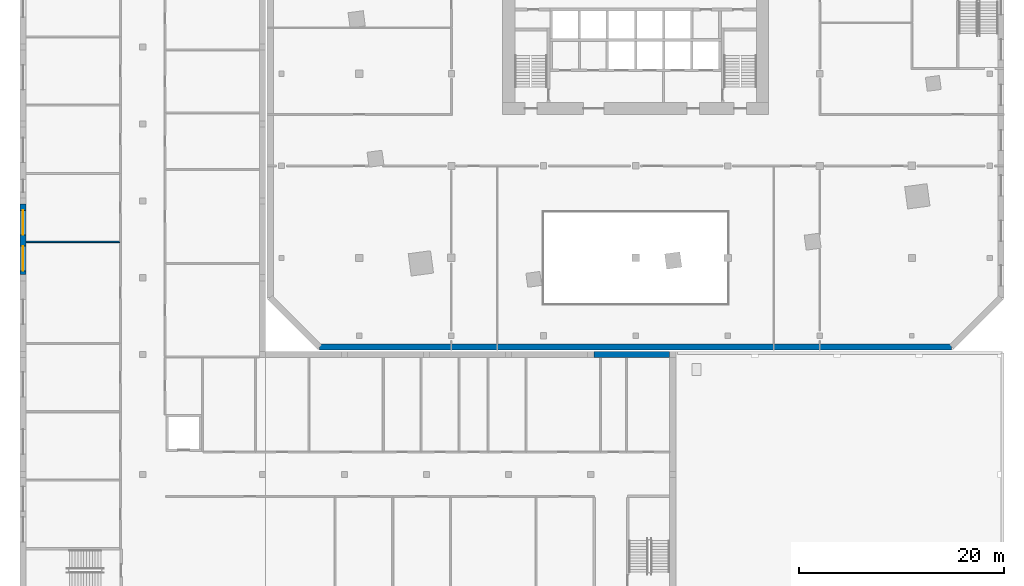
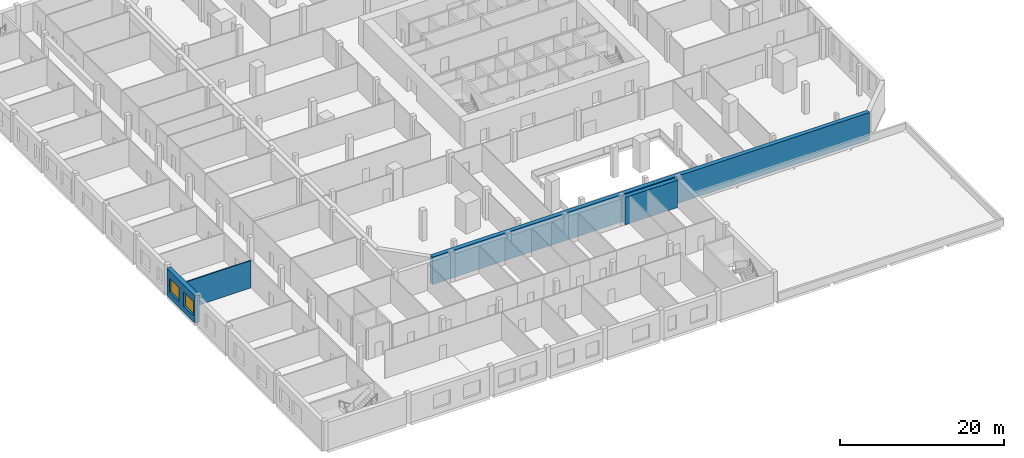
# One storey, part 5 of 20: 4 walls, 2 windows, 2 openings.
"""IFC4 building model written with IfcOpenShell, lengths in metres."""

from ifc_helpers import new_model, si_unit, direction, frame, frame_2d, origin, place, context, subcontext, project, spatial, rectangle, extrude, material, layer, layer_set, type_object, element, fill, save


model = new_model("IFC4")

# Units and contexts
model_context = context("Model", 3, precision=1e-05, world=origin(), true_north=direction((0.0, 1.0)))
body_context = subcontext(model_context, "Body", "Model", "MODEL_VIEW")
ifc_project = project(units=[si_unit("LENGTHUNIT", "METRE"), si_unit("AREAUNIT", "SQUARE_METRE"), si_unit("VOLUMEUNIT", "CUBIC_METRE"), si_unit("PLANEANGLEUNIT", "RADIAN"), si_unit("MASSUNIT", "GRAM", prefix="KILO")], contexts=[model_context])

# Site, building, storey
site_placement = place(None, origin())
site = spatial("IfcSite", under=ifc_project, at=site_placement, CompositionType="ELEMENT")
building_placement = place(site_placement, origin())
building = spatial("IfcBuilding", under=site, at=building_placement, Name="Dilmun Exchange Tower", CompositionType="ELEMENT")
storey_placement = place(building_placement, frame((0.0, 0.0, 9.0)))
storey = spatial("IfcBuildingStorey", under=building, at=storey_placement, Name="L02", CompositionType="ELEMENT", Elevation=9.0)

# Wall
ifc_material_1 = material(Name="Precast concrete C50/60", Category="concrete")
ifc_layer_1 = layer(ifc_material_1, 0.60009765625)
ifc_layer_set_1 = layer_set([ifc_layer_1], Name="Precast concrete C50/60")
wall_type_1 = type_object("IfcWallType", Name="Precast stone-clad wall 600", PredefinedType="STANDARD", material=ifc_layer_set_1)
wall_1_placement = place(storey_placement, frame((-30.875732421875, -35.699951171875, 0.0), z_axis=(0.0, 0.0, 1.0), x_axis=(1.0, 0.0, 0.0)))
element("IfcWall", 1, at=wall_1_placement, inside=storey, type_object=wall_type_1, Name="Facade wall L02-00-0", PredefinedType="STANDARD", context=body_context, shape_type="SweptSolid", body=[
    extrude(rectangle(XDim=61.75146484375, YDim=0.60009765625, at=frame_2d((30.875732421875, 0.0))), origin(), (0.0, 0.0, 1.0), 4.10009765625),
])

# Wall, openings, windows
ifc_material_2 = material(Name="Precast concrete C40/50", Category="concrete")
ifc_layer_2 = layer(ifc_material_2, 0.60009765625)
ifc_layer_set_2 = layer_set([ifc_layer_2], Name="Precast concrete C40/50")
wall_type_2 = type_object("IfcWallType", Name="School external wall 600 precast C40/50", PredefinedType="STANDARD", material=ifc_layer_set_2)
wall_2_placement = place(storey_placement, frame((-59.85009765625, -28.6357421875, 0.0), z_axis=(0.0, 0.0, 1.0), x_axis=(0.0, 1.0, 0.0)))
wall_2 = element("IfcWall", 2, at=wall_2_placement, inside=storey, type_object=wall_type_2, Name="School external wall", PredefinedType="STANDARD", context=body_context, shape_type="SweptSolid", body=[
    extrude(rectangle(XDim=6.914306640625, YDim=0.60009765625, at=frame_2d((3.45703125, 0.0))), origin(), (0.0, 0.0, 1.0), 4.10009765625),
])
opening_1_placement = place(wall_2_placement, frame((0.384765625, 0.0, 0.89990234375)))
opening_1 = element("IfcOpeningElement", 3, at=opening_1_placement, cuts=wall_2, Name="Opening SCH-W24", PredefinedType="OPENING", context=body_context, shape_type="SweptSolid", body=[
    extrude(rectangle(XDim=2.39990234375, YDim=2.10009765625, at=frame_2d((1.199951171875, 1.050048828125))), frame((0.0, 0.31005859375, 0.0), z_axis=(0.0, -1.0, 0.0), x_axis=(1.0, 0.0, 0.0)), (0.0, 0.0, 1.0), 0.6201171875),
])
opening_2_placement = place(wall_2_placement, frame((3.886962890625, 0.0, 0.89990234375)))
opening_2 = element("IfcOpeningElement", 4, at=opening_2_placement, cuts=wall_2, Name="Opening SCH-W24", PredefinedType="OPENING", context=body_context, shape_type="SweptSolid", body=[
    extrude(rectangle(XDim=2.39990234375, YDim=2.10009765625, at=frame_2d((1.199951171875, 1.050048828125))), frame((0.0, 0.31005859375, 0.0), z_axis=(0.0, -1.0, 0.0), x_axis=(1.0, 0.0, 0.0)), (0.0, 0.0, 1.0), 0.6201171875),
])
ifc_material_3 = material(Name="Clear low-emissivity glass in aluminium frame", Category="aluminium")
window_type = type_object("IfcWindowType", Name="School window 2400 x 2100", PartitioningType="DOUBLE_PANEL_VERTICAL", PredefinedType="WINDOW", material=ifc_material_3)
window_1_placement = place(opening_1_placement, origin())
window_1 = element("IfcWindow", 5, at=window_1_placement, inside=storey, type_object=window_type, Name="School window", OverallHeight=2.10009765625, OverallWidth=2.39990234375, PartitioningType="SINGLE_PANEL", PredefinedType="WINDOW", context=body_context, shape_type="SweptSolid", body=[
    extrude(rectangle(XDim=2.39990234375, YDim=2.10009765625, at=frame_2d((1.199951171875, 1.050048828125))), frame((0.0, 0.030029296875, 0.0), z_axis=(0.0, -1.0, 0.0), x_axis=(1.0, 0.0, 0.0)), (0.0, 0.0, 1.0), 0.06005859375),
])
fill(opening_1, window_1)
window_2_placement = place(opening_2_placement, origin())
window_2 = element("IfcWindow", 6, at=window_2_placement, inside=storey, type_object=window_type, Name="School window", OverallHeight=2.10009765625, OverallWidth=2.39990234375, PartitioningType="SINGLE_PANEL", PredefinedType="WINDOW", context=body_context, shape_type="SweptSolid", body=[
    extrude(rectangle(XDim=2.39990234375, YDim=2.10009765625, at=frame_2d((1.199951171875, 1.050048828125))), frame((0.0, 0.030029296875, 0.0), z_axis=(0.0, -1.0, 0.0), x_axis=(1.0, 0.0, 0.0)), (0.0, 0.0, 1.0), 0.06005859375),
])
fill(opening_2, window_2)

# Walls
wall_3_placement = place(storey_placement, frame((-4.083251953125, -36.449951171875, 0.0), z_axis=(0.0, 0.0, 1.0), x_axis=(1.0, 0.0, 0.0)))
element("IfcWall", 7, at=wall_3_placement, inside=storey, type_object=wall_type_2, Name="School external wall", PredefinedType="STANDARD", context=body_context, shape_type="SweptSolid", body=[
    extrude(rectangle(XDim=7.41650390625, YDim=0.60009765625, at=frame_2d((3.708251953125, 0.0))), origin(), (0.0, 0.0, 1.0), 4.10009765625),
])
ifc_material_4 = material(Name="Gypsum board on steel studs", Category="steel")
ifc_layer_3 = layer(ifc_material_4, 0.14990234375)
ifc_layer_set_3 = layer_set([ifc_layer_3], Name="Gypsum board on steel studs")
wall_type_3 = type_object("IfcWallType", Name="School partition 150 gypsum board", PredefinedType="PARTITIONING", material=ifc_layer_set_3)
wall_4_placement = place(storey_placement, frame((-59.550048828125, -25.421142578125, 0.0), z_axis=(0.0, 0.0, 1.0), x_axis=(1.0, 0.0, 0.0)))
element("IfcWall", 8, at=wall_4_placement, inside=storey, type_object=wall_type_3, Name="School partition", PredefinedType="PARTITIONING", context=body_context, shape_type="SweptSolid", body=[
    extrude(rectangle(XDim=9.150146484375, YDim=0.14990234375, at=frame_2d((4.5751953125, 0.0))), origin(), (0.0, 0.0, 1.0), 4.10009765625),
])

save(model, "model.ifc")
